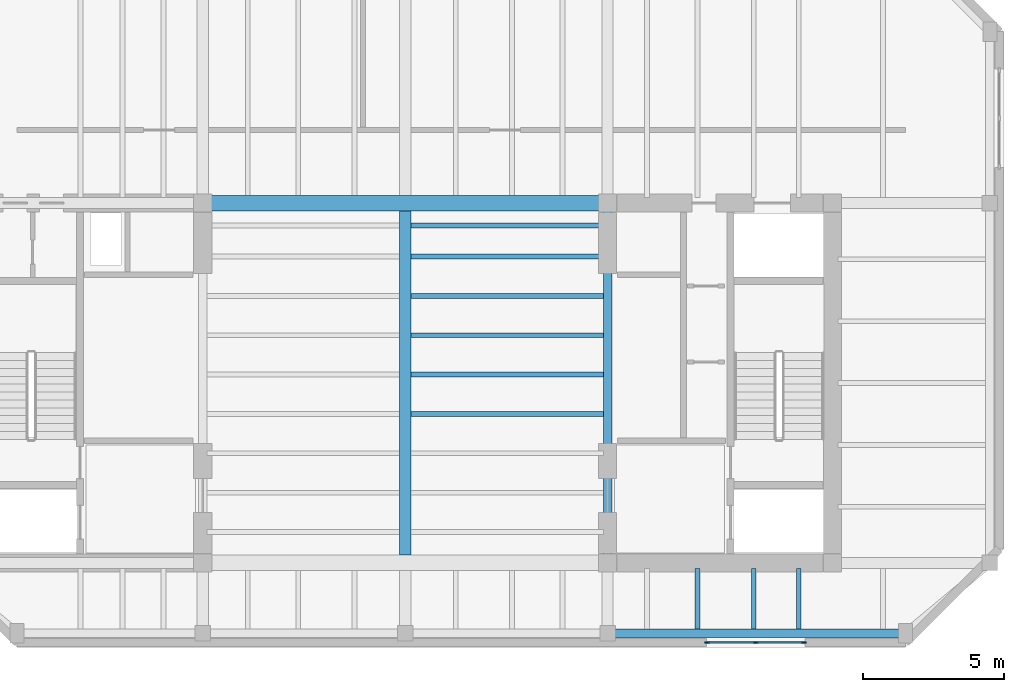
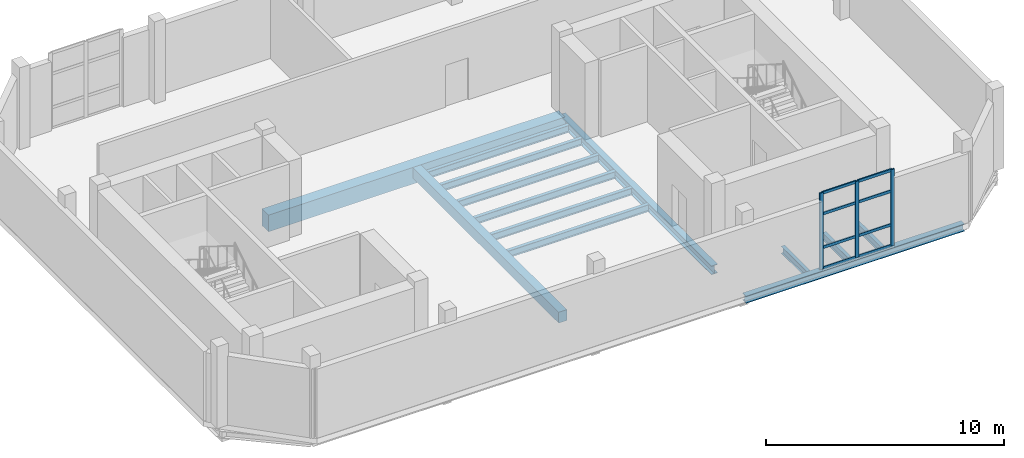
# One storey, part 2 of 7: 13 beams, 11 members, 1 element without a shape of its own.
"""IFC4 building model written with IfcOpenShell, lengths in metres."""

from ifc_helpers import new_model, si_unit, direction, frame, origin, origin_2d, place, context, subcontext, project, spatial, rectangle, i_section, extrude, material, layer, layer_set, material_profile, profile_set, type_object, element, aggregate, save


model = new_model("IFC4")

# Units and contexts
model_context = context("Model", 3, precision=1e-05, world=origin(), true_north=direction((0.0, 1.0)))
body_context = subcontext(model_context, "Body", "Model", "MODEL_VIEW")
ifc_project = project(units=[si_unit("LENGTHUNIT", "METRE"), si_unit("AREAUNIT", "SQUARE_METRE"), si_unit("VOLUMEUNIT", "CUBIC_METRE"), si_unit("PLANEANGLEUNIT", "RADIAN"), si_unit("MASSUNIT", "GRAM", prefix="KILO")], contexts=[model_context])

# Site, building, storey
site_placement = place(None, origin())
site = spatial("IfcSite", under=ifc_project, at=site_placement, CompositionType="ELEMENT")
building_placement = place(site_placement, origin())
building = spatial("IfcBuilding", under=site, at=building_placement, Name="Kranthara Brick Stack", CompositionType="ELEMENT")
storey_placement = place(building_placement, frame((0.0, 0.0, 296.39990234375)))
storey = spatial("IfcBuildingStorey", under=building, at=storey_placement, Name="L78", CompositionType="ELEMENT", Elevation=296.39990234375)

# Beams
ifc_material_1 = material(Name="Concrete C50/60", Category="concrete")
ifc_material_profile_1 = material_profile(ifc_material_1, rectangle(XDim=0.550048828125, YDim=0.85009765625, at=origin_2d()), Name="RC 550x850")
ifc_profile_set_1 = profile_set([ifc_material_profile_1], Name="Concrete C50/60")
beam_type_1 = type_object("IfcBeamType", Name="BM-CPL-RC850", PredefinedType="LINTEL", material=ifc_profile_set_1)
beam_1_placement = place(storey_placement, frame((20.800048828125, 33.60009765625, -0.704833984375), z_axis=(1.0, 0.0, 0.0), x_axis=(0.0, 1.0, 0.0)))
element("IfcBeam", 1, at=beam_1_placement, inside=storey, type_object=beam_type_1, Name="L78 Core Coupling Beam 002", PredefinedType="LINTEL", context=body_context, shape_type="SweptSolid", body=[
    extrude(rectangle(XDim=0.550048828125, YDim=0.85009765625, at=origin_2d()), origin(), (0.0, 0.0, 1.0), 14.39990234375),
])
ifc_material_2 = material(Name="Post-tensioned concrete C45/55", Category="concrete")
ifc_material_profile_2 = material_profile(ifc_material_2, rectangle(XDim=0.39990234375, YDim=0.550048828125, at=origin_2d()), Name="PT 400x550")
ifc_profile_set_2 = profile_set([ifc_material_profile_2], Name="Post-tensioned concrete C45/55")
beam_type_2 = type_object("IfcBeamType", Name="BM-FLR-PT550", PredefinedType="BEAM", material=ifc_profile_set_2)
beam_2_placement = place(storey_placement, frame((28.0, 21.074951171875, -0.554931640625), z_axis=(0.0, 1.0, 0.0), x_axis=(-1.0, 0.0, 0.0)))
element("IfcBeam", 2, at=beam_2_placement, inside=storey, type_object=beam_type_2, Name="L78 Central Spine Girder 024", PredefinedType="BEAM", context=body_context, shape_type="SweptSolid", body=[
    extrude(rectangle(XDim=0.39990234375, YDim=0.550048828125, at=origin_2d()), origin(), (0.0, 0.0, 1.0), 12.25),
])
ifc_material_3 = material(Name="Steel S355", Category="steel")
ifc_material_profile_3 = material_profile(ifc_material_3, i_section(OverallWidth=0.169921875, OverallDepth=0.360107421875, WebThickness=0.008056640625, FlangeThickness=0.0126953125, at=origin_2d()), Name="IPE 360")
ifc_profile_set_3 = profile_set([ifc_material_profile_3], Name="Steel S355")
beam_type_3 = type_object("IfcBeamType", Name="BM-JST-IPE360", PredefinedType="JOIST", material=ifc_profile_set_3)
for number, where, z_axis, x_axis, name in (
    (3, (28.199951171875, 26.10009765625, -0.4599609375), (1.0, 0.0, 0.0), (0.0, 1.0, 0.0), "L78 Central Floor Joist 039"),
    (4, (28.199951171875, 27.5, -0.4599609375), (1.0, 0.0, 0.0), (0.0, 1.0, 0.0), "L78 Central Floor Joist 041"),
    (5, (28.199951171875, 28.89990234375, -0.4599609375), (1.0, 0.0, 0.0), (0.0, 1.0, 0.0), "L78 Central Floor Joist 043"),
    (6, (28.199951171875, 30.300048828125, -0.4599609375), (1.0, 0.0, 0.0), (0.0, 1.0, 0.0), "L78 Central Floor Joist 045"),
    (7, (28.199951171875, 31.699951171875, -0.4599609375), (1.0, 0.0, 0.0), (0.0, 1.0, 0.0), "L78 Central Floor Joist 047"),
    (8, (28.199951171875, 32.800048828125, -0.4599609375), (1.0, 0.0, 0.0), (0.0, 1.0, 0.0), "L78 Central Floor Joist 049"),
):
    element("IfcBeam", number, at=place(storey_placement, frame(where, z_axis=z_axis, x_axis=x_axis)), inside=storey, type_object=beam_type_3, Name=name, PredefinedType="JOIST", context=body_context, shape_type="SweptSolid", body=[
        extrude(i_section(OverallWidth=0.169921875, OverallDepth=0.360107421875, WebThickness=0.008056640625, FlangeThickness=0.0126953125, at=origin_2d()), origin(), (0.0, 0.0, 1.0), 6.85009765625),
    ])
for number, where, z_axis, x_axis, name in (
    (9, (38.39990234375, 18.449951171875, -0.4599609375), (0.0, 1.0, 0.0), (-1.0, 0.0, 0.0), "L78 South Wing Floor Joist 070"),
    (10, (40.39990234375, 18.449951171875, -0.4599609375), (0.0, 1.0, 0.0), (-1.0, 0.0, 0.0), "L78 South Wing Floor Joist 072"),
    (11, (42.0, 18.449951171875, -0.4599609375), (0.0, 1.0, 0.0), (-1.0, 0.0, 0.0), "L78 South Wing Floor Joist 074"),
):
    element("IfcBeam", number, at=place(storey_placement, frame(where, z_axis=z_axis, x_axis=x_axis)), inside=storey, type_object=beam_type_3, Name=name, PredefinedType="JOIST", context=body_context, shape_type="SweptSolid", body=[
        extrude(i_section(OverallWidth=0.169921875, OverallDepth=0.360107421875, WebThickness=0.008056640625, FlangeThickness=0.0126953125, at=origin_2d()), origin(), (0.0, 0.0, 1.0), 2.150146484375),
    ])
ifc_material_4 = material(Name="Steel S355", Category="steel")
ifc_material_profile_4 = material_profile(ifc_material_4, i_section(OverallWidth=0.300048828125, OverallDepth=0.360107421875, WebThickness=0.012451171875, FlangeThickness=0.0224609375, at=origin_2d()), Name="HEB 360")
ifc_profile_set_4 = profile_set([ifc_material_profile_4], Name="Steel S355")
beam_type_4 = type_object("IfcBeamType", Name="BM-STL-HEB360", PredefinedType="SPANDREL", material=ifc_profile_set_4)
beam_3_placement = place(storey_placement, frame((35.199951171875, 18.300048828125, -0.4599609375), z_axis=(1.0, 0.0, 0.0), x_axis=(0.0, 1.0, 0.0)))
element("IfcBeam", 12, at=beam_3_placement, inside=storey, type_object=beam_type_4, Name="L78 Perimeter Spandrel Beam 008", PredefinedType="SPANDREL", context=body_context, shape_type="SweptSolid", body=[
    extrude(i_section(OverallWidth=0.300048828125, OverallDepth=0.360107421875, WebThickness=0.012451171875, FlangeThickness=0.0224609375, at=origin_2d()), origin(), (0.0, 0.0, 1.0), 10.60009765625),
])
ifc_material_5 = material(Name="Steel S355", Category="steel")
ifc_material_profile_5 = material_profile(ifc_material_5, i_section(OverallWidth=0.300048828125, OverallDepth=0.449951171875, WebThickness=0.013916015625, FlangeThickness=0.02587890625, at=origin_2d()), Name="HEB 450")
ifc_profile_set_5 = profile_set([ifc_material_profile_5], Name="Steel S355")
beam_type_5 = type_object("IfcBeamType", Name="BM-STL-HEB450", PredefinedType="SPANDREL", material=ifc_profile_set_5)
beam_4_placement = place(storey_placement, frame((35.199951171875, 20.800048828125, -0.5048828125), z_axis=(0.0, 1.0, 0.0), x_axis=(-1.0, 0.0, 0.0)))
element("IfcBeam", 13, at=beam_4_placement, inside=storey, type_object=beam_type_5, Name="L78 Core Edge Tie Beam 004", PredefinedType="SPANDREL", context=body_context, shape_type="SweptSolid", body=[
    extrude(i_section(OverallWidth=0.300048828125, OverallDepth=0.449951171875, WebThickness=0.013916015625, FlangeThickness=0.02587890625, at=origin_2d()), origin(), (0.0, 0.0, 1.0), 12.800048828125),
])

# Curtain wall, members
ifc_material_6 = material(Name="Bronze anodised aluminium and low-E glass", Category="aluminium")
ifc_layer = layer(ifc_material_6, 0.25)
ifc_layer_set = layer_set([ifc_layer], Name="Bronze anodised aluminium and low-E glass")
curtain_wall_type = type_object("IfcCurtainWallType", Name="CW-SYS6-CROWN", PredefinedType="USERDEFINED", material=ifc_layer_set)
curtain_wall_placement = place(storey_placement, origin())
curtain_wall = element("IfcCurtainWall", 14, at=curtain_wall_placement, inside=storey, type_object=curtain_wall_type, Name="L78 Curtain Wall CW6-L78-01", ObjectType="UNITISED CURTAIN WALL", PredefinedType="USERDEFINED")
ifc_material_7 = material(Name="Bronze anodised aluminium 6063-T6", Category="aluminium")
ifc_material_profile_6 = material_profile(ifc_material_7, rectangle(XDim=0.06494140625, YDim=0.179931640625, at=origin_2d()), Name="ALU MULLION 65x180")
ifc_profile_set_6 = profile_set([ifc_material_profile_6], Name="Bronze anodised aluminium 6063-T6")
member_type_1 = type_object("IfcMemberType", Name="CWM-65x180", PredefinedType="MULLION", material=ifc_profile_set_6)
member_1_placement = place(storey_placement, frame((42.180419921875, 17.969970703125, 0.0), z_axis=(0.0, 0.0, 1.0), x_axis=(0.0, -1.0, 0.0)))
member_1 = element("IfcMember", 15, at=member_1_placement, type_object=member_type_1, Name="CW mullion 1", PredefinedType="MULLION", context=body_context, shape_type="SweptSolid", body=[
    extrude(rectangle(XDim=0.06494140625, YDim=0.179931640625, at=origin_2d()), origin(), (0.0, 0.0, 1.0), 3.920166015625),
])
member_2_placement = place(storey_placement, frame((40.462890625, 17.969970703125, 0.0), z_axis=(0.0, 0.0, 1.0), x_axis=(0.0, -1.0, 0.0)))
member_2 = element("IfcMember", 16, at=member_2_placement, type_object=member_type_1, Name="CW mullion 2", PredefinedType="MULLION", context=body_context, shape_type="SweptSolid", body=[
    extrude(rectangle(XDim=0.06494140625, YDim=0.179931640625, at=origin_2d()), origin(), (0.0, 0.0, 1.0), 3.920166015625),
])
member_3_placement = place(storey_placement, frame((38.74560546875, 17.969970703125, 0.0), z_axis=(0.0, 0.0, 1.0), x_axis=(0.0, -1.0, 0.0)))
member_3 = element("IfcMember", 17, at=member_3_placement, type_object=member_type_1, Name="CW mullion 3", PredefinedType="MULLION", context=body_context, shape_type="SweptSolid", body=[
    extrude(rectangle(XDim=0.06494140625, YDim=0.179931640625, at=origin_2d()), origin(), (0.0, 0.0, 1.0), 3.920166015625),
])
ifc_material_8 = material(Name="Bronze anodised aluminium 6063-T6", Category="aluminium")
ifc_material_profile_7 = material_profile(ifc_material_8, rectangle(XDim=0.06494140625, YDim=0.139892578125, at=origin_2d()), Name="ALU TRANSOM 65x140")
ifc_profile_set_7 = profile_set([ifc_material_profile_7], Name="Bronze anodised aluminium 6063-T6")
member_type_2 = type_object("IfcMemberType", Name="CWT-65x140", PredefinedType="USERDEFINED", material=ifc_profile_set_7)
member_4_placement = place(storey_placement, frame((42.14794921875, 17.969970703125, 0.03271484375), z_axis=(-1.0, 0.0, 0.0), x_axis=(0.0, -1.0, 0.0)))
member_4 = element("IfcMember", 18, at=member_4_placement, type_object=member_type_2, Name="CW transom 1.1", ObjectType="TRANSOM", PredefinedType="USERDEFINED", context=body_context, shape_type="SweptSolid", body=[
    extrude(rectangle(XDim=0.06494140625, YDim=0.139892578125, at=origin_2d()), origin(), (0.0, 0.0, 1.0), 1.65234375),
])
member_5_placement = place(storey_placement, frame((42.14794921875, 17.969970703125, 1.09765625), z_axis=(-1.0, 0.0, 0.0), x_axis=(0.0, -1.0, 0.0)))
member_5 = element("IfcMember", 19, at=member_5_placement, type_object=member_type_2, Name="CW transom 1.2", ObjectType="TRANSOM", PredefinedType="USERDEFINED", context=body_context, shape_type="SweptSolid", body=[
    extrude(rectangle(XDim=0.06494140625, YDim=0.139892578125, at=origin_2d()), origin(), (0.0, 0.0, 1.0), 1.65234375),
])
member_6_placement = place(storey_placement, frame((42.14794921875, 17.969970703125, 2.822509765625), z_axis=(-1.0, 0.0, 0.0), x_axis=(0.0, -1.0, 0.0)))
member_6 = element("IfcMember", 20, at=member_6_placement, type_object=member_type_2, Name="CW transom 1.3", ObjectType="TRANSOM", PredefinedType="USERDEFINED", context=body_context, shape_type="SweptSolid", body=[
    extrude(rectangle(XDim=0.06494140625, YDim=0.139892578125, at=origin_2d()), origin(), (0.0, 0.0, 1.0), 1.65234375),
])
member_7_placement = place(storey_placement, frame((42.14794921875, 17.969970703125, 3.8876953125), z_axis=(-1.0, 0.0, 0.0), x_axis=(0.0, -1.0, 0.0)))
member_7 = element("IfcMember", 21, at=member_7_placement, type_object=member_type_2, Name="CW transom 1.4", ObjectType="TRANSOM", PredefinedType="USERDEFINED", context=body_context, shape_type="SweptSolid", body=[
    extrude(rectangle(XDim=0.06494140625, YDim=0.139892578125, at=origin_2d()), origin(), (0.0, 0.0, 1.0), 1.65234375),
])
member_8_placement = place(storey_placement, frame((40.430419921875, 17.969970703125, 0.03271484375), z_axis=(-1.0, 0.0, 0.0), x_axis=(0.0, -1.0, 0.0)))
member_8 = element("IfcMember", 22, at=member_8_placement, type_object=member_type_2, Name="CW transom 2.1", ObjectType="TRANSOM", PredefinedType="USERDEFINED", context=body_context, shape_type="SweptSolid", body=[
    extrude(rectangle(XDim=0.06494140625, YDim=0.139892578125, at=origin_2d()), origin(), (0.0, 0.0, 1.0), 1.65234375),
])
member_9_placement = place(storey_placement, frame((40.430419921875, 17.969970703125, 1.09765625), z_axis=(-1.0, 0.0, 0.0), x_axis=(0.0, -1.0, 0.0)))
member_9 = element("IfcMember", 23, at=member_9_placement, type_object=member_type_2, Name="CW transom 2.2", ObjectType="TRANSOM", PredefinedType="USERDEFINED", context=body_context, shape_type="SweptSolid", body=[
    extrude(rectangle(XDim=0.06494140625, YDim=0.139892578125, at=origin_2d()), origin(), (0.0, 0.0, 1.0), 1.65234375),
])
member_10_placement = place(storey_placement, frame((40.430419921875, 17.969970703125, 2.822509765625), z_axis=(-1.0, 0.0, 0.0), x_axis=(0.0, -1.0, 0.0)))
member_10 = element("IfcMember", 24, at=member_10_placement, type_object=member_type_2, Name="CW transom 2.3", ObjectType="TRANSOM", PredefinedType="USERDEFINED", context=body_context, shape_type="SweptSolid", body=[
    extrude(rectangle(XDim=0.06494140625, YDim=0.139892578125, at=origin_2d()), origin(), (0.0, 0.0, 1.0), 1.65234375),
])
member_11_placement = place(storey_placement, frame((40.430419921875, 17.969970703125, 3.8876953125), z_axis=(-1.0, 0.0, 0.0), x_axis=(0.0, -1.0, 0.0)))
member_11 = element("IfcMember", 25, at=member_11_placement, type_object=member_type_2, Name="CW transom 2.4", ObjectType="TRANSOM", PredefinedType="USERDEFINED", context=body_context, shape_type="SweptSolid", body=[
    extrude(rectangle(XDim=0.06494140625, YDim=0.139892578125, at=origin_2d()), origin(), (0.0, 0.0, 1.0), 1.65234375),
])
aggregate(curtain_wall, [member_1, member_2, member_3, member_4, member_5, member_6, member_7, member_8, member_9, member_10, member_11])

save(model, "model.ifc")
